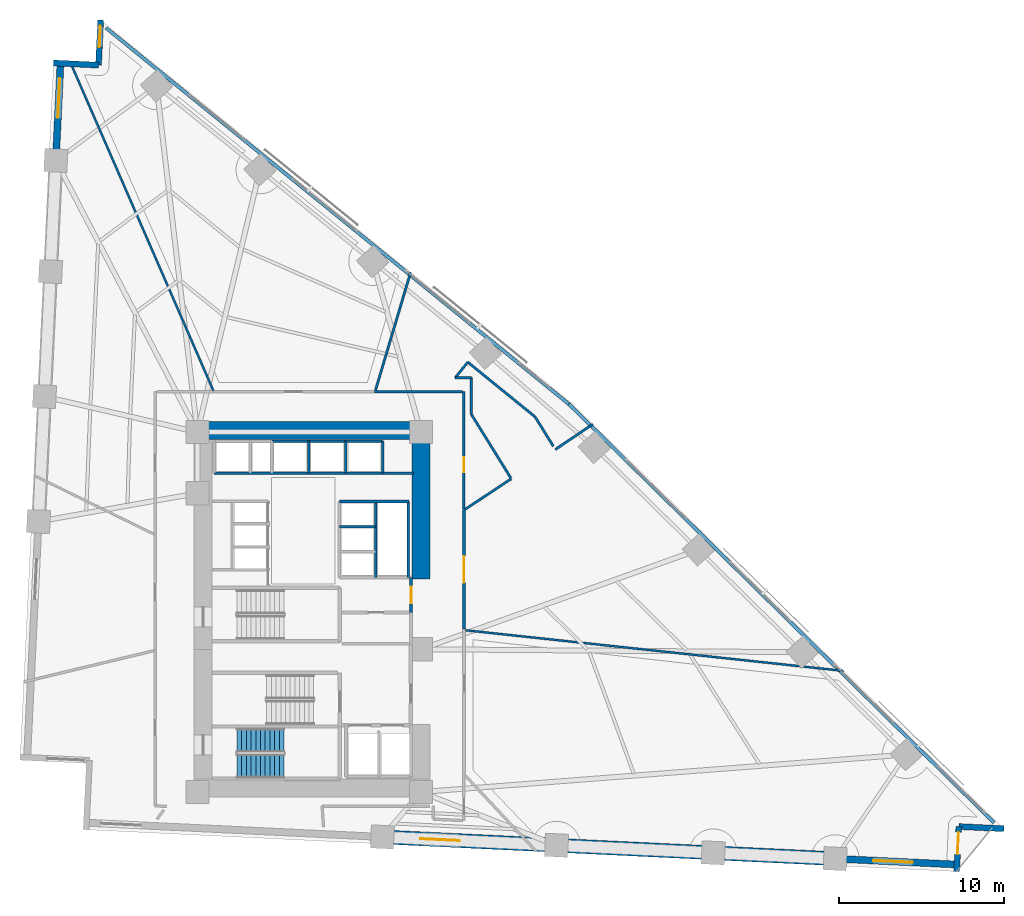
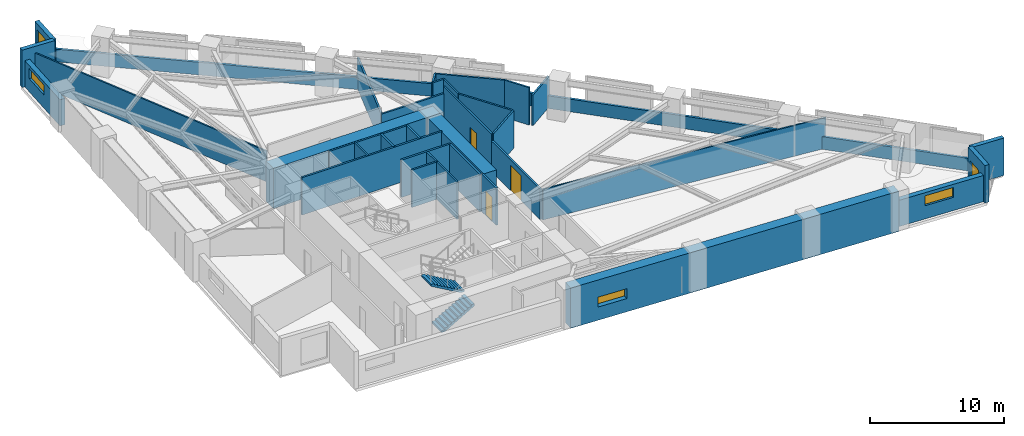
# One storey, part 14 of 17: 35 walls, 4 doors, 4 windows, 2 stair flights, 8 openings, 1 element without a shape of its own.
"""IFC4 building model written with IfcOpenShell, lengths in metres."""

from ifc_helpers import new_model, si_unit, direction, frame, frame_2d, origin, place, context, subcontext, project, spatial, polyline, rectangle, outline, extrude, material, layer, layer_set, type_object, element, fill, aggregate, save


model = new_model("IFC4")

# Units and contexts
model_context = context("Model", 3, precision=1e-05, world=origin(), true_north=direction((0.0, 1.0)))
body_context = subcontext(model_context, "Body", "Model", "MODEL_VIEW")
ifc_project = project(units=[si_unit("LENGTHUNIT", "METRE"), si_unit("AREAUNIT", "SQUARE_METRE"), si_unit("VOLUMEUNIT", "CUBIC_METRE"), si_unit("PLANEANGLEUNIT", "RADIAN"), si_unit("MASSUNIT", "GRAM", prefix="KILO")], contexts=[model_context])

# Site, building, storey
site_placement = place(None, origin())
site = spatial("IfcSite", under=ifc_project, at=site_placement, CompositionType="ELEMENT")
building_placement = place(site_placement, origin())
building = spatial("IfcBuilding", under=site, at=building_placement, Name="Narakoshi Arena Tower", CompositionType="ELEMENT")
storey_placement = place(building_placement, frame((0.0, 0.0, 48.300048828125)))
storey = spatial("IfcBuildingStorey", under=building, at=storey_placement, Name="L12", CompositionType="ELEMENT", Elevation=48.300048828125)

# Walls
ifc_material_1 = material(Name="Concrete C60/75", Category="concrete")
ifc_layer_1 = layer(ifc_material_1, 1.10009765625)
ifc_layer_set_1 = layer_set([ifc_layer_1], Name="Concrete C60/75")
wall_type_1 = type_object("IfcWallType", Name="WL-CORE-1100", PredefinedType="SHEAR", material=ifc_layer_set_1)
wall_1_placement = place(storey_placement, frame((71.800048828125, 56.60009765625, -0.260009765625), z_axis=(0.0, 0.0, 1.0), x_axis=(1.0, 0.0, 0.0)))
element("IfcWall", 1, at=wall_1_placement, inside=storey, type_object=wall_type_1, Name="L12 Main Core Shear Wall CW-MN-N", PredefinedType="SHEAR", context=body_context, shape_type="SweptSolid", body=[
    extrude(rectangle(XDim=14.300048828125, YDim=1.10009765625, at=frame_2d((7.14990234375, 0.0))), origin(), (0.0, 0.0, 1.0), 3.659912109375),
])
wall_2_placement = place(storey_placement, frame((85.550048828125, 47.60009765625, -0.260009765625), z_axis=(0.0, 0.0, 1.0), x_axis=(0.0, 1.0, 0.0)))
element("IfcWall", 2, at=wall_2_placement, inside=storey, type_object=wall_type_1, Name="L12 Main Core Shear Wall CW-MN-E", PredefinedType="SHEAR", context=body_context, shape_type="SweptSolid", body=[
    extrude(rectangle(XDim=8.449951171875, YDim=1.10009765625, at=frame_2d((4.22509765625, 0.0))), origin(), (0.0, 0.0, 1.0), 3.659912109375),
])

# Wall, opening, door
ifc_material_2 = material(Name="Gypsum plasterboard fire-rated partition")
ifc_layer_2 = layer(ifc_material_2, 0.1650390625)
ifc_layer_set_2 = layer_set([ifc_layer_2], Name="Gypsum plasterboard fire-rated partition")
wall_type_2 = type_object("IfcWallType", Name="WL-CORR-165", PredefinedType="PARTITIONING", material=ifc_layer_set_2)
wall_3_placement = place(storey_placement, frame((84.949951171875, 45.580078125, 0.0), z_axis=(0.0, 0.0, 1.0), x_axis=(0.0, 1.0, 0.0)))
wall_3 = element("IfcWall", 3, at=wall_3_placement, inside=storey, type_object=wall_type_2, Name="L12 Core Wall CPAS-E", PredefinedType="PARTITIONING", context=body_context, shape_type="SweptSolid", body=[
    extrude(rectangle(XDim=2.119873046875, YDim=0.1650390625, at=frame_2d((1.06005859375, 0.0))), origin(), (0.0, 0.0, 1.0), 3.39990234375),
])
opening_1_placement = place(wall_3_placement, frame((0.56005859375, 0.0, 0.0)))
opening_1 = element("IfcOpeningElement", 4, at=opening_1_placement, cuts=wall_3, Name="Opening D-06", PredefinedType="OPENING", context=body_context, shape_type="SweptSolid", body=[
    extrude(rectangle(XDim=1.0, YDim=2.199951171875, at=frame_2d((0.5, 1.10009765625))), frame((0.0, 0.092529296875, 0.0), z_axis=(0.0, -1.0, 0.0), x_axis=(1.0, 0.0, 0.0)), (0.0, 0.0, 1.0), 0.18505859375),
])
ifc_material_3 = material(Name="Stained oak solid-core timber", Category="wood")
door_type_1 = type_object("IfcDoorType", Name="DR-OFF-1000", OperationType="NOTDEFINED", PredefinedType="DOOR", material=ifc_material_3)
door_1_placement = place(opening_1_placement, frame((1.0, 0.0, 0.0), z_axis=(0.0, 0.0, 1.0), x_axis=(-1.0, 0.0, 0.0)))
door_1 = element("IfcDoor", 5, at=door_1_placement, inside=storey, type_object=door_type_1, Name="DR-L12-008", OperationType="SINGLE_SWING_LEFT", OverallHeight=2.199951171875, OverallWidth=1.0, PredefinedType="DOOR", context=body_context, shape_type="SweptSolid", body=[
    extrude(rectangle(XDim=1.0, YDim=2.199951171875, at=frame_2d((0.5, 1.10009765625))), frame((0.0, 0.02490234375, 0.0), z_axis=(0.0, -1.0, 0.0), x_axis=(1.0, 0.0, 0.0)), (0.0, 0.0, 1.0), 0.050048828125),
])
fill(opening_1, door_1)

wall_4_placement = place(storey_placement, frame((88.14990234375, 44.571533203125, 0.0), z_axis=(0.0, 0.0, 1.0), x_axis=(0.0, 1.0, 0.0)))
wall_4 = element("IfcWall", 6, at=wall_4_placement, inside=storey, type_object=wall_type_2, Name="L12 Corridor Partition 04-1", PredefinedType="PARTITIONING", context=body_context, shape_type="SweptSolid", body=[
    extrude(rectangle(XDim=7.238037109375, YDim=0.1650390625, at=frame_2d((3.619140625, 0.0))), origin(), (0.0, 0.0, 1.0), 2.784912109375),
])
opening_2_placement = place(wall_4_placement, frame((2.819091796875, 0.0, 0.0)))
opening_2 = element("IfcOpeningElement", 7, at=opening_2_placement, cuts=wall_4, Name="Opening D-05", PredefinedType="OPENING", context=body_context, shape_type="SweptSolid", body=[
    extrude(rectangle(XDim=1.60009765625, YDim=2.300048828125, at=frame_2d((0.800048828125, 1.14990234375))), frame((0.0, 0.092529296875, 0.0), z_axis=(0.0, -1.0, 0.0), x_axis=(1.0, 0.0, 0.0)), (0.0, 0.0, 1.0), 0.18505859375),
])
door_type_2 = type_object("IfcDoorType", Name="DR-STE-1600", OperationType="DOUBLE_DOOR_SINGLE_SWING", PredefinedType="DOOR", material=ifc_material_3)
door_2_placement = place(opening_2_placement, frame((1.60009765625, 0.0, 0.0), z_axis=(0.0, 0.0, 1.0), x_axis=(-1.0, 0.0, 0.0)))
door_2 = element("IfcDoor", 8, at=door_2_placement, inside=storey, type_object=door_type_2, Name="DR-L12-017", OperationType="DOUBLE_DOOR_SINGLE_SWING", OverallHeight=2.300048828125, OverallWidth=1.60009765625, PredefinedType="DOOR", context=body_context, shape_type="SweptSolid", body=[
    extrude(rectangle(XDim=1.60009765625, YDim=2.300048828125, at=frame_2d((0.800048828125, 1.14990234375))), frame((0.0, 0.02490234375, 0.0), z_axis=(0.0, -1.0, 0.0), x_axis=(1.0, 0.0, 0.0)), (0.0, 0.0, 1.0), 0.050048828125),
])
fill(opening_2, door_2)

# Wall, opening, window
ifc_layer_3 = layer(ifc_material_1, 0.85009765625)
ifc_layer_set_3 = layer_set([ifc_layer_3], Name="Concrete C60/75")
wall_type_3 = type_object("IfcWallType", Name="WL-LEG-850", PredefinedType="SHEAR", material=ifc_layer_set_3)
wall_5_placement = place(storey_placement, frame((83.2119140625, 31.979248046875, -0.260009765625), z_axis=(0.0, 0.0, 1.0), x_axis=(0.998848235141, -0.047981279227, 0.0)))
wall_5 = element("IfcWall", 9, at=wall_5_placement, inside=storey, type_object=wall_type_3, Name="L12 Architectural Concrete Structural Wall LEGA-2", PredefinedType="SHEAR", context=body_context, shape_type="SweptSolid", body=[
    extrude(rectangle(XDim=27.456298828125, YDim=0.85009765625, at=frame_2d((13.72802734375, 0.0))), origin(), (0.0, 0.0, 1.0), 3.659912109375),
])
opening_3_placement = place(wall_5_placement, frame((2.300048828125, 0.0, 1.199951171875)))
opening_3 = element("IfcOpeningElement", 10, at=opening_3_placement, cuts=wall_5, Name="Opening WN-01", PredefinedType="OPENING", context=body_context, shape_type="SweptSolid", body=[
    extrude(rectangle(XDim=2.39990234375, YDim=0.89990234375, at=frame_2d((1.199951171875, 0.449951171875))), frame((0.0, 0.43505859375, 0.0), z_axis=(0.0, -1.0, 0.0), x_axis=(1.0, 0.0, 0.0)), (0.0, 0.0, 1.0), 0.8701171875),
])
ifc_material_4 = material(Name="Bronze-tinted low-E laminated glass", Category="glass")
window_type_1 = type_object("IfcWindowType", Name="WIN-SLT-24x09", PartitioningType="SINGLE_PANEL", PredefinedType="WINDOW", material=ifc_material_4)
window_1_placement = place(opening_3_placement, origin())
window_1 = element("IfcWindow", 11, at=window_1_placement, inside=storey, type_object=window_type_1, Name="L12 LEGA2 Horizontal Slot Window 1", OverallHeight=0.89990234375, OverallWidth=2.39990234375, PartitioningType="SINGLE_PANEL", PredefinedType="WINDOW", context=body_context, shape_type="SweptSolid", body=[
    extrude(rectangle(XDim=2.39990234375, YDim=0.89990234375, at=frame_2d((1.199951171875, 0.449951171875))), frame((0.0, 0.030029296875, 0.0), z_axis=(0.0, -1.0, 0.0), x_axis=(1.0, 0.0, 0.0)), (0.0, 0.0, 1.0), 0.06005859375),
])
fill(opening_3, window_1)

# Walls
ifc_material_5 = material(Name="Precast concrete C45/55", Category="concrete")
ifc_layer_4 = layer(ifc_material_5, 0.25)
ifc_layer_set_4 = layer_set([ifc_layer_4], Name="Precast concrete C45/55")
wall_type_4 = type_object("IfcWallType", Name="WL-PARA-250", PredefinedType="PARAPET", material=ifc_layer_set_4)
wall_6_placement = place(storey_placement, frame((120.254150390625, 32.847900390625, 0.0), z_axis=(0.0, 0.0, 1.0), x_axis=(-0.71254385441, 0.701627576099, 0.0)))
element("IfcWall", 12, at=wall_6_placement, inside=storey, type_object=wall_type_4, Name="L12 Hypotenuse Sill Upstand Parapet 1-01", PredefinedType="PARAPET", context=body_context, shape_type="SweptSolid", body=[
    extrude(rectangle(XDim=36.1416015625, YDim=0.199951171875, at=frame_2d((18.07080078125, 0.0))), origin(), (0.0, 0.0, 1.0), 1.14990234375),
])
wall_7_placement = place(storey_placement, frame((94.51318359375, 58.19580078125, 0.0), z_axis=(0.0, 0.0, 1.0), x_axis=(-0.776001602097, 0.630730935933, 0.0)))
element("IfcWall", 13, at=wall_7_placement, inside=storey, type_object=wall_type_4, Name="L12 Hypotenuse Sill Upstand Parapet 2-01", PredefinedType="PARAPET", context=body_context, shape_type="SweptSolid", body=[
    extrude(rectangle(XDim=36.14794921875, YDim=0.199951171875, at=frame_2d((18.073974609375, 0.0))), origin(), (0.0, 0.0, 1.0), 1.14990234375),
])
ifc_layer_5 = layer(ifc_material_2, 0.125)
ifc_layer_set_5 = layer_set([ifc_layer_5], Name="Gypsum plasterboard fire-rated partition")
wall_type_5 = type_object("IfcWallType", Name="WL-PART-125", PredefinedType="PARTITIONING", material=ifc_layer_set_5)
wall_8_placement = place(storey_placement, frame((88.244384765625, 44.5009765625, 0.0), z_axis=(0.0, 0.0, 1.0), x_axis=(0.994268709567, -0.106909930207, 0.0)))
element("IfcWall", 14, at=wall_8_placement, inside=storey, type_object=wall_type_5, Name="L12 Inter-Room Partition 03-04", PredefinedType="PARTITIONING", context=body_context, shape_type="SweptSolid", body=[
    extrude(rectangle(XDim=23.037109375, YDim=0.125, at=frame_2d((11.5185546875, 0.0))), origin(), (0.0, 0.0, 1.0), 2.784912109375),
])
wall_9_placement = place(storey_placement, frame((72.966796875, 59.027587890625, 0.0), z_axis=(0.0, 0.0, 1.0), x_axis=(-0.399433319224, 0.916762250256, 0.0)))
element("IfcWall", 15, at=wall_9_placement, inside=storey, type_object=wall_type_5, Name="L12 Inter-Room Partition 06-07", PredefinedType="PARTITIONING", context=body_context, shape_type="SweptSolid", body=[
    extrude(rectangle(XDim=21.58203125, YDim=0.125, at=frame_2d((10.791015625, 0.0))), origin(), (0.0, 0.0, 1.0), 2.784912109375),
])

# Wall, opening, window
ifc_layer_6 = layer(ifc_material_5, 0.419921875)
ifc_layer_set_6 = layer_set([ifc_layer_6], Name="Precast concrete C45/55")
wall_type_6 = type_object("IfcWallType", Name="WL-POD-420", PredefinedType="SOLIDWALL", material=ifc_layer_set_6)
wall_10_placement = place(storey_placement, frame((110.636474609375, 30.661865234375, 0.0), z_axis=(0.0, 0.0, 1.0), x_axis=(0.998847872759, -0.047988822508, 0.0)))
wall_10 = element("IfcWall", 16, at=wall_10_placement, inside=storey, type_object=wall_type_6, Name="L12 Architectural Concrete Facade Wall LEGA-3", PredefinedType="SOLIDWALL", context=body_context, shape_type="SweptSolid", body=[
    extrude(rectangle(XDim=7.39208984375, YDim=0.419921875, at=frame_2d((3.696044921875, 0.0))), origin(), (0.0, 0.0, 1.0), 2.385009765625),
])
opening_4_placement = place(wall_10_placement, frame((2.300048828125, 0.0, 1.199951171875)))
opening_4 = element("IfcOpeningElement", 17, at=opening_4_placement, cuts=wall_10, Name="Opening WN-01", PredefinedType="OPENING", context=body_context, shape_type="SweptSolid", body=[
    extrude(rectangle(XDim=2.39990234375, YDim=0.89990234375, at=frame_2d((1.199951171875, 0.449951171875))), frame((0.0, 0.219970703125, 0.0), z_axis=(0.0, -1.0, 0.0), x_axis=(1.0, 0.0, 0.0)), (0.0, 0.0, 1.0), 0.43994140625),
])
window_2_placement = place(opening_4_placement, origin())
window_2 = element("IfcWindow", 18, at=window_2_placement, inside=storey, type_object=window_type_1, Name="L12 LEGA3 Horizontal Slot Window 1", OverallHeight=0.89990234375, OverallWidth=2.39990234375, PartitioningType="SINGLE_PANEL", PredefinedType="WINDOW", context=body_context, shape_type="SweptSolid", body=[
    extrude(rectangle(XDim=2.39990234375, YDim=0.89990234375, at=frame_2d((1.199951171875, 0.449951171875))), frame((0.0, 0.030029296875, 0.0), z_axis=(0.0, -1.0, 0.0), x_axis=(1.0, 0.0, 0.0)), (0.0, 0.0, 1.0), 0.06005859375),
])
fill(opening_4, window_2)

wall_11_placement = place(storey_placement, frame((63.711181640625, 78.84375, 0.0), z_axis=(0.0, 0.0, 1.0), x_axis=(-0.048007946398, -0.998846953784, 0.0)))
wall_11 = element("IfcWall", 19, at=wall_11_placement, inside=storey, type_object=wall_type_6, Name="L12 Architectural Concrete Facade Wall LEGB-1", PredefinedType="SOLIDWALL", context=body_context, shape_type="SweptSolid", body=[
    extrude(rectangle(XDim=5.89404296875, YDim=0.419921875, at=frame_2d((2.947021484375, 0.0))), origin(), (0.0, 0.0, 1.0), 2.385009765625),
])
opening_5_placement = place(wall_11_placement, frame((0.89990234375, 0.0, 1.199951171875)))
opening_5 = element("IfcOpeningElement", 20, at=opening_5_placement, cuts=wall_11, Name="Opening WN-01", PredefinedType="OPENING", context=body_context, shape_type="SweptSolid", body=[
    extrude(rectangle(XDim=2.39990234375, YDim=0.89990234375, at=frame_2d((1.199951171875, 0.449951171875))), frame((0.0, 0.219970703125, 0.0), z_axis=(0.0, -1.0, 0.0), x_axis=(1.0, 0.0, 0.0)), (0.0, 0.0, 1.0), 0.43994140625),
])
window_3_placement = place(opening_5_placement, origin())
window_3 = element("IfcWindow", 21, at=window_3_placement, inside=storey, type_object=window_type_1, Name="L12 LEGB1 Horizontal Slot Window 1", OverallHeight=0.89990234375, OverallWidth=2.39990234375, PartitioningType="SINGLE_PANEL", PredefinedType="WINDOW", context=body_context, shape_type="SweptSolid", body=[
    extrude(rectangle(XDim=2.39990234375, YDim=0.89990234375, at=frame_2d((1.199951171875, 0.449951171875))), frame((0.0, 0.030029296875, 0.0), z_axis=(0.0, -1.0, 0.0), x_axis=(1.0, 0.0, 0.0)), (0.0, 0.0, 1.0), 0.06005859375),
])
fill(opening_5, window_3)

# Wall, opening, door
wall_12_placement = place(storey_placement, frame((117.99951171875, 29.8828125, 0.0), z_axis=(0.0, 0.0, 1.0), x_axis=(0.048024030708, 0.998846180588, 0.0)))
wall_12 = element("IfcWall", 22, at=wall_12_placement, inside=storey, type_object=wall_type_6, Name="L12 Re-Entrant Corner Notch Wall NTE-1", PredefinedType="SOLIDWALL", context=body_context, shape_type="SweptSolid", body=[
    extrude(rectangle(XDim=2.72998046875, YDim=0.360107421875, at=frame_2d((1.364990234375, 0.0))), origin(), (0.0, 0.0, 1.0), 3.39990234375),
])
opening_6_placement = place(wall_12_placement, frame((1.0400390625, 0.0, 0.0)))
opening_6 = element("IfcOpeningElement", 23, at=opening_6_placement, cuts=wall_12, Name="Opening D-12", PredefinedType="OPENING", context=body_context, shape_type="SweptSolid", body=[
    extrude(rectangle(XDim=1.35009765625, YDim=2.35009765625, at=frame_2d((0.675048828125, 1.175048828125))), frame((0.0, 0.18994140625, 0.0), z_axis=(0.0, -1.0, 0.0), x_axis=(1.0, 0.0, 0.0)), (0.0, 0.0, 1.0), 0.380126953125),
])
ifc_material_6 = material(Name="Anodised bronze aluminium 6063-T6", Category="aluminium")
door_type_3 = type_object("IfcDoorType", Name="DR-LOG-1350", OperationType="DOUBLE_DOOR_SLIDING", PredefinedType="DOOR", material=ifc_material_6)
door_3_placement = place(opening_6_placement, origin())
door_3 = element("IfcDoor", 24, at=door_3_placement, inside=storey, type_object=door_type_3, Name="DR-L12-001", OperationType="DOUBLE_DOOR_SLIDING", OverallHeight=2.35009765625, OverallWidth=1.35009765625, PredefinedType="DOOR", context=body_context, shape_type="SweptSolid", body=[
    extrude(rectangle(XDim=1.35009765625, YDim=2.35009765625, at=frame_2d((0.675048828125, 1.175048828125))), frame((0.0, 0.02490234375, 0.0), z_axis=(0.0, -1.0, 0.0), x_axis=(1.0, 0.0, 0.0)), (0.0, 0.0, 1.0), 0.050048828125),
])
fill(opening_6, door_3)

# Wall
wall_13_placement = place(storey_placement, frame((118.130615234375, 32.609619140625, 0.0), z_axis=(0.0, 0.0, 1.0), x_axis=(0.998846180588, -0.048024030708, 0.0)))
element("IfcWall", 25, at=wall_13_placement, inside=storey, type_object=wall_type_6, Name="L12 Re-Entrant Corner Notch Wall NTE-2", PredefinedType="SOLIDWALL", context=body_context, shape_type="SweptSolid", body=[
    extrude(rectangle(XDim=2.72998046875, YDim=0.360107421875, at=frame_2d((1.364990234375, 0.0))), origin(), (0.0, 0.0, 1.0), 3.39990234375),
])

# Wall, opening, window
wall_14_placement = place(storey_placement, frame((66.144287109375, 81.4599609375, 0.0), z_axis=(0.0, 0.0, 1.0), x_axis=(-0.047934806162, -0.998850466465, 0.0)))
wall_14 = element("IfcWall", 26, at=wall_14_placement, inside=storey, type_object=wall_type_6, Name="L12 Re-Entrant Corner Notch Wall NTN-1", PredefinedType="SOLIDWALL", context=body_context, shape_type="SweptSolid", body=[
    extrude(rectangle(XDim=2.72998046875, YDim=0.360107421875, at=frame_2d((1.364990234375, 0.0))), origin(), (0.0, 0.0, 1.0), 3.39990234375),
])
opening_7_placement = place(wall_14_placement, frame((0.340087890625, 0.0, 0.449951171875)))
opening_7 = element("IfcOpeningElement", 27, at=opening_7_placement, cuts=wall_14, Name="Opening WN-06", PredefinedType="OPENING", context=body_context, shape_type="SweptSolid", body=[
    extrude(rectangle(XDim=1.300048828125, YDim=2.39990234375, at=frame_2d((0.64990234375, 1.199951171875))), frame((0.0, 0.18994140625, 0.0), z_axis=(0.0, -1.0, 0.0), x_axis=(1.0, 0.0, 0.0)), (0.0, 0.0, 1.0), 0.380126953125),
])
window_type_2 = type_object("IfcWindowType", Name="WIN-NTC-16x24", PartitioningType="SINGLE_PANEL", PredefinedType="WINDOW", material=ifc_material_4)
window_4_placement = place(opening_7_placement, origin())
window_4 = element("IfcWindow", 28, at=window_4_placement, inside=storey, type_object=window_type_2, Name="L12 Corner Notch Window NTN", OverallHeight=2.39990234375, OverallWidth=1.300048828125, PartitioningType="SINGLE_PANEL", PredefinedType="WINDOW", context=body_context, shape_type="SweptSolid", body=[
    extrude(rectangle(XDim=1.300048828125, YDim=2.39990234375, at=frame_2d((0.64990234375, 1.199951171875))), frame((0.0, 0.030029296875, 0.0), z_axis=(0.0, -1.0, 0.0), x_axis=(1.0, 0.0, 0.0)), (0.0, 0.0, 1.0), 0.06005859375),
])
fill(opening_7, window_4)

# Walls
wall_15_placement = place(storey_placement, frame((66.013427734375, 78.733154296875, 0.0), z_axis=(0.0, 0.0, 1.0), x_axis=(-0.998846180588, 0.048024030708, 0.0)))
element("IfcWall", 29, at=wall_15_placement, inside=storey, type_object=wall_type_6, Name="L12 Re-Entrant Corner Notch Wall NTN-2", PredefinedType="SOLIDWALL", context=body_context, shape_type="SweptSolid", body=[
    extrude(rectangle(XDim=2.72998046875, YDim=0.360107421875, at=frame_2d((1.364990234375, 0.0))), origin(), (0.0, 0.0, 1.0), 3.39990234375),
])
ifc_material_7 = material(Name="Concrete C40/50", Category="concrete")
ifc_layer_7 = layer(ifc_material_7, 0.280029296875)
ifc_layer_set_7 = layer_set([ifc_layer_7], Name="Concrete C40/50")
wall_type_7 = type_object("IfcWallType", Name="WL-RISER-280", PredefinedType="PLUMBINGWALL", material=ifc_layer_set_7)
wall_16_placement = place(storey_placement, frame((80.60009765625, 50.780029296875, 0.0), z_axis=(0.0, 0.0, 1.0), x_axis=(1.0, 0.0, 0.0)))
element("IfcWall", 30, at=wall_16_placement, inside=storey, type_object=wall_type_7, Name="L12 Core Wall MR-D2", PredefinedType="PLUMBINGWALL", context=body_context, shape_type="SweptSolid", body=[
    extrude(rectangle(XDim=2.199951171875, YDim=0.14990234375, at=frame_2d((1.10009765625, 0.0))), origin(), (0.0, 0.0, 1.0), 3.39990234375),
])
wall_17_placement = place(storey_placement, frame((82.800048828125, 47.699951171875, 0.0), z_axis=(0.0, 0.0, 1.0), x_axis=(0.0, 1.0, 0.0)))
element("IfcWall", 31, at=wall_17_placement, inside=storey, type_object=wall_type_7, Name="L12 Core Wall MR-E", PredefinedType="PLUMBINGWALL", context=body_context, shape_type="SweptSolid", body=[
    extrude(rectangle(XDim=4.60009765625, YDim=0.14990234375, at=frame_2d((2.300048828125, 0.0))), origin(), (0.0, 0.0, 1.0), 3.39990234375),
])
for number, where, z_axis, x_axis, name in (
    (32, (78.75, 54.02001953125, 0.0), (0.0, 0.0, 1.0), (0.0, 1.0, 0.0), "L12 Core Wall HR-D1"),
    (33, (81.0, 54.02001953125, 0.0), (0.0, 0.0, 1.0), (0.0, 1.0, 0.0), "L12 Core Wall HR-D2"),
):
    element("IfcWall", number, at=place(storey_placement, frame(where, z_axis=z_axis, x_axis=x_axis)), inside=storey, type_object=wall_type_7, Name=name, PredefinedType="PLUMBINGWALL", context=body_context, shape_type="SweptSolid", body=[
        extrude(rectangle(XDim=1.9599609375, YDim=0.14990234375, at=frame_2d((0.97998046875, 0.0))), origin(), (0.0, 0.0, 1.0), 3.39990234375),
    ])
ifc_material_8 = material(Name="Concrete C50/60", Category="concrete")
ifc_layer_8 = layer(ifc_material_8, 0.35009765625)
ifc_layer_set_8 = layer_set([ifc_layer_8], Name="Concrete C50/60")
wall_type_8 = type_object("IfcWallType", Name="WL-SHAFT-350", PredefinedType="SOLIDWALL", material=ifc_layer_set_8)
wall_18_placement = place(storey_placement, frame((80.60009765625, 52.300048828125, 0.0), z_axis=(0.0, 0.0, 1.0), x_axis=(1.0, 0.0, 0.0)))
element("IfcWall", 34, at=wall_18_placement, inside=storey, type_object=wall_type_8, Name="L12 Core Wall MR-N", PredefinedType="SOLIDWALL", context=body_context, shape_type="SweptSolid", body=[
    extrude(rectangle(XDim=4.219970703125, YDim=0.159912109375, at=frame_2d((2.10986328125, 0.0))), origin(), (0.0, 0.0, 1.0), 3.39990234375),
])
wall_19_placement = place(storey_placement, frame((84.780029296875, 47.699951171875, 0.0), z_axis=(0.0, 0.0, 1.0), x_axis=(0.0, 1.0, 0.0)))
element("IfcWall", 35, at=wall_19_placement, inside=storey, type_object=wall_type_8, Name="L12 Core Wall MR-E2", PredefinedType="SOLIDWALL", context=body_context, shape_type="SweptSolid", body=[
    extrude(rectangle(XDim=4.60009765625, YDim=0.159912109375, at=frame_2d((2.300048828125, 0.0))), origin(), (0.0, 0.0, 1.0), 3.39990234375),
])
wall_20_placement = place(storey_placement, frame((73.02001953125, 54.02001953125, 0.0), z_axis=(0.0, 0.0, 1.0), x_axis=(1.0, 0.0, 0.0)))
element("IfcWall", 36, at=wall_20_placement, inside=storey, type_object=wall_type_8, Name="L12 Core Wall NSHF-S", PredefinedType="SOLIDWALL", context=body_context, shape_type="SweptSolid", body=[
    extrude(rectangle(XDim=12.080078125, YDim=0.159912109375, at=frame_2d((6.0400390625, 0.0))), origin(), (0.0, 0.0, 1.0), 3.39990234375),
])
wall_21_placement = place(storey_placement, frame((83.219970703125, 54.02001953125, 0.0), z_axis=(0.0, 0.0, 1.0), x_axis=(0.0, 1.0, 0.0)))
element("IfcWall", 37, at=wall_21_placement, inside=storey, type_object=wall_type_8, Name="L12 Core Wall HR-E", PredefinedType="SOLIDWALL", context=body_context, shape_type="SweptSolid", body=[
    extrude(rectangle(XDim=1.9599609375, YDim=0.14990234375, at=frame_2d((0.97998046875, 0.0))), origin(), (0.0, 0.0, 1.0), 3.39990234375),
])
wall_22_placement = place(storey_placement, frame((76.52001953125, 55.9599609375, 0.0), z_axis=(0.0, 0.0, 1.0), x_axis=(1.0, 0.0, 0.0)))
element("IfcWall", 38, at=wall_22_placement, inside=storey, type_object=wall_type_8, Name="L12 Core Wall HR-N", PredefinedType="SOLIDWALL", context=body_context, shape_type="SweptSolid", body=[
    extrude(rectangle(XDim=6.699951171875, YDim=0.14990234375, at=frame_2d((3.35009765625, 0.0))), origin(), (0.0, 0.0, 1.0), 3.39990234375),
])
ifc_material_9 = material(Name="Moisture-resistant cement-board partition")
ifc_layer_9 = layer(ifc_material_9, 0.14501953125)
ifc_layer_set_9 = layer_set([ifc_layer_9], Name="Moisture-resistant cement-board partition")
wall_type_9 = type_object("IfcWallType", Name="WL-WET-145", PredefinedType="PARTITIONING", material=ifc_layer_set_9)
wall_23_placement = place(storey_placement, frame((88.197265625, 51.8095703125, 0.0), z_axis=(0.0, 0.0, 1.0), x_axis=(0.834029749889, 0.551719472468, 0.0)))
element("IfcWall", 39, at=wall_23_placement, inside=storey, type_object=wall_type_9, Name="L12 Inter-Room Partition 04-05", PredefinedType="PARTITIONING", context=body_context, shape_type="SweptSolid", body=[
    extrude(rectangle(XDim=3.387451171875, YDim=0.14501953125, at=frame_2d((1.69384765625, 0.0))), origin(), (0.0, 0.0, 1.0), 3.39990234375),
])
wall_24_placement = place(storey_placement, frame((93.6875, 55.452392578125, 0.0), z_axis=(0.0, 0.0, 1.0), x_axis=(0.82889296356, 0.559407235349, 0.0)))
element("IfcWall", 40, at=wall_24_placement, inside=storey, type_object=wall_type_9, Name="L12 Inter-Room Partition 04-05", PredefinedType="PARTITIONING", context=body_context, shape_type="SweptSolid", body=[
    extrude(rectangle(XDim=2.747802734375, YDim=0.14501953125, at=frame_2d((1.3740234375, 0.0))), origin(), (0.0, 0.0, 1.0), 2.784912109375),
])

# Wall, opening, door
wall_25_placement = place(storey_placement, frame((88.14990234375, 51.83837890625, 0.0), z_axis=(0.0, 0.0, 1.0), x_axis=(0.0, 1.0, 0.0)))
wall_25 = element("IfcWall", 41, at=wall_25_placement, inside=storey, type_object=wall_type_9, Name="L12 Corridor Partition 05-1", PredefinedType="PARTITIONING", context=body_context, shape_type="SweptSolid", body=[
    extrude(rectangle(XDim=7.111572265625, YDim=0.14501953125, at=frame_2d((3.5556640625, 0.0))), origin(), (0.0, 0.0, 1.0), 3.39990234375),
])
opening_8_placement = place(wall_25_placement, frame((2.234130859375, 0.0, 0.0)))
opening_8 = element("IfcOpeningElement", 42, at=opening_8_placement, cuts=wall_25, Name="Opening D-08", PredefinedType="OPENING", context=body_context, shape_type="SweptSolid", body=[
    extrude(rectangle(XDim=0.89990234375, YDim=2.10009765625, at=frame_2d((0.449951171875, 1.050048828125))), frame((0.0, 0.08251953125, 0.0), z_axis=(0.0, -1.0, 0.0), x_axis=(1.0, 0.0, 0.0)), (0.0, 0.0, 1.0), 0.1650390625),
])
ifc_material_10 = material(Name="Moisture-resistant laminate timber", Category="wood")
door_type_4 = type_object("IfcDoorType", Name="DR-WC-900", OperationType="NOTDEFINED", PredefinedType="DOOR", material=ifc_material_10)
door_4_placement = place(opening_8_placement, frame((0.89990234375, 0.0, 0.0), z_axis=(0.0, 0.0, 1.0), x_axis=(-1.0, 0.0, 0.0)))
door_4 = element("IfcDoor", 43, at=door_4_placement, inside=storey, type_object=door_type_4, Name="DR-L12-018", OperationType="SINGLE_SWING_RIGHT", OverallHeight=2.10009765625, OverallWidth=0.89990234375, PredefinedType="DOOR", context=body_context, shape_type="SweptSolid", body=[
    extrude(rectangle(XDim=0.89990234375, YDim=2.10009765625, at=frame_2d((0.449951171875, 1.050048828125))), frame((0.0, 0.02490234375, 0.0), z_axis=(0.0, -1.0, 0.0), x_axis=(1.0, 0.0, 0.0)), (0.0, 0.0, 1.0), 0.050048828125),
])
fill(opening_8, door_4)

# Walls
wall_26_placement = place(storey_placement, frame((88.0654296875, 58.949951171875, 0.0), z_axis=(0.0, 0.0, 1.0), x_axis=(-1.0, 0.0, 0.0)))
element("IfcWall", 44, at=wall_26_placement, inside=storey, type_object=wall_type_9, Name="L12 Corridor Partition 05-2", PredefinedType="PARTITIONING", context=body_context, shape_type="SweptSolid", body=[
    extrude(rectangle(XDim=5.33642578125, YDim=0.14501953125, at=frame_2d((2.668212890625, 0.0))), origin(), (0.0, 0.0, 1.0), 2.784912109375),
])
wall_27_placement = place(storey_placement, frame((82.791748046875, 59.034423828125, 0.0), z_axis=(0.0, 0.0, 1.0), x_axis=(0.285401878516, 0.958407933888, 0.0)))
element("IfcWall", 45, at=wall_27_placement, inside=storey, type_object=wall_type_9, Name="L12 Inter-Room Partition 05-06", PredefinedType="PARTITIONING", context=body_context, shape_type="SweptSolid", body=[
    extrude(rectangle(XDim=7.47216796875, YDim=0.14501953125, at=frame_2d((3.736083984375, 0.0))), origin(), (0.0, 0.0, 1.0), 2.784912109375),
])
wall_28_placement = place(storey_placement, frame((93.564697265625, 55.650146484375, 0.0), z_axis=(0.0, 0.0, 1.0), x_axis=(-0.527618202131, 0.849481625923, 0.0)))
element("IfcWall", 46, at=wall_28_placement, inside=storey, type_object=wall_type_9, Name="L12 Room Enclosure Partition 05-1", PredefinedType="PARTITIONING", context=body_context, shape_type="SweptSolid", body=[
    extrude(rectangle(XDim=2.09423828125, YDim=0.14501953125, at=frame_2d((1.047119140625, 0.0))), origin(), (0.0, 0.0, 1.0), 3.39990234375),
])
wall_29_placement = place(storey_placement, frame((92.459716796875, 57.42919921875, 0.0), z_axis=(0.0, 0.0, 1.0), x_axis=(-0.775983159792, 0.630753625213, 0.0)))
element("IfcWall", 47, at=wall_29_placement, inside=storey, type_object=wall_type_9, Name="L12 Room Enclosure Partition 05-2", PredefinedType="PARTITIONING", context=body_context, shape_type="SweptSolid", body=[
    extrude(rectangle(XDim=5.251708984375, YDim=0.14501953125, at=frame_2d((2.6259765625, 0.0))), origin(), (0.0, 0.0, 1.0), 3.39990234375),
])
wall_30_placement = place(storey_placement, frame((88.384521484375, 60.74169921875, 0.0), z_axis=(0.0, 0.0, 1.0), x_axis=(-0.628914048691, -0.777474835193, 0.0)))
element("IfcWall", 48, at=wall_30_placement, inside=storey, type_object=wall_type_9, Name="L12 Room Enclosure Partition 05-3", PredefinedType="PARTITIONING", context=body_context, shape_type="SweptSolid", body=[
    extrude(rectangle(XDim=1.211181640625, YDim=0.14501953125, at=frame_2d((0.60546875, 0.0))), origin(), (0.0, 0.0, 1.0), 3.39990234375),
])
wall_31_placement = place(storey_placement, frame((87.622802734375, 59.800048828125, 0.0), z_axis=(0.0, 0.0, 1.0), x_axis=(1.0, 0.0, 0.0)))
element("IfcWall", 49, at=wall_31_placement, inside=storey, type_object=wall_type_9, Name="L12 Room Enclosure Partition 05-4", PredefinedType="PARTITIONING", context=body_context, shape_type="SweptSolid", body=[
    extrude(rectangle(XDim=0.977294921875, YDim=0.14501953125, at=frame_2d((0.48876953125, 0.0))), origin(), (0.0, 0.0, 1.0), 3.39990234375),
])
wall_32_placement = place(storey_placement, frame((88.60009765625, 59.800048828125, 0.0), z_axis=(0.0, 0.0, 1.0), x_axis=(0.0, -1.0, 0.0)))
element("IfcWall", 50, at=wall_32_placement, inside=storey, type_object=wall_type_9, Name="L12 Room Enclosure Partition 05-5", PredefinedType="PARTITIONING", context=body_context, shape_type="SweptSolid", body=[
    extrude(rectangle(XDim=2.2216796875, YDim=0.14501953125, at=frame_2d((1.11083984375, 0.0))), origin(), (0.0, 0.0, 1.0), 3.39990234375),
])
wall_33_placement = place(storey_placement, frame((88.60009765625, 57.578369140625, 0.0), z_axis=(0.0, 0.0, 1.0), x_axis=(0.527337377714, -0.849655983363, 0.0)))
element("IfcWall", 51, at=wall_33_placement, inside=storey, type_object=wall_type_9, Name="L12 Room Enclosure Partition 05-6", PredefinedType="PARTITIONING", context=body_context, shape_type="SweptSolid", body=[
    extrude(rectangle(XDim=4.531005859375, YDim=0.14501953125, at=frame_2d((2.265625, 0.0))), origin(), (0.0, 0.0, 1.0), 3.39990234375),
])

# Stair, stair flights
ifc_material_11 = material(Name="Concrete C45/55", Category="concrete")
stair_type = type_object("IfcStairType", Name="STR-CORE-360", PredefinedType="TWO_STRAIGHT_RUN_STAIR", material=ifc_material_11)
stair_placement = place(storey_placement, origin())
stair = element("IfcStair", 52, at=stair_placement, inside=storey, type_object=stair_type, Name="L12 Core Escape Stair ST1", PredefinedType="TWO_STRAIGHT_RUN_STAIR")
stair_flight_type = type_object("IfcStairFlightType", Name="FLT-145-160", PredefinedType="STRAIGHT", material=ifc_material_5)
stair_flight_1_placement = place(storey_placement, frame((74.39990234375, 36.27490234375, 0.0), z_axis=(0.0, 0.0, 1.0), x_axis=(1.0, 0.0, 0.0)))
stair_flight_1 = element("IfcStairFlight", 53, at=stair_flight_1_placement, type_object=stair_flight_type, Name="ST1 flight 1", NumberOfRisers=11, NumberOfTreads=10, PredefinedType="STRAIGHT", RiserHeight=0.163636364, TreadLength=0.285, context=body_context, shape_type="SweptSolid", body=[
    extrude(outline(polyline([(0.0, 0.0), (0.0, 0.16357421875), (0.284912109375, 0.16357421875), (0.284912109375, 0.327392578125), (0.570068359375, 0.327392578125), (0.570068359375, 0.490966796875), (0.85498046875, 0.490966796875), (0.85498046875, 0.654541015625), (1.139892578125, 0.654541015625), (1.139892578125, 0.818115234375), (1.425048828125, 0.818115234375), (1.425048828125, 0.98193359375), (1.7099609375, 0.98193359375), (1.7099609375, 1.1455078125), (1.9951171875, 1.1455078125), (1.9951171875, 1.30908203125), (2.280029296875, 1.30908203125), (2.280029296875, 1.47265625), (2.56494140625, 1.47265625), (2.56494140625, 1.636474609375), (2.85009765625, 1.636474609375), (2.85009765625, 1.800048828125), (2.85009765625, 1.463623046875), (0.301025390625, 0.0), (0.0, 0.0)])), frame((0.0, 0.72509765625, 0.0), z_axis=(0.0, -1.0, 0.0), x_axis=(1.0, 0.0, 0.0)), (0.0, 0.0, 1.0), 1.449951171875),
])
stair_flight_2_placement = place(storey_placement, frame((77.25, 37.824951171875, 1.800048828125), z_axis=(0.0, 0.0, 1.0), x_axis=(-1.0, 0.0, 0.0)))
stair_flight_2 = element("IfcStairFlight", 54, at=stair_flight_2_placement, type_object=stair_flight_type, Name="ST1 flight 2", NumberOfRisers=11, NumberOfTreads=10, PredefinedType="STRAIGHT", RiserHeight=0.163636364, TreadLength=0.285, context=body_context, shape_type="SweptSolid", body=[
    extrude(outline(polyline([(0.0, 0.0), (0.0, 0.16357421875), (0.284912109375, 0.16357421875), (0.284912109375, 0.327392578125), (0.570068359375, 0.327392578125), (0.570068359375, 0.490966796875), (0.85498046875, 0.490966796875), (0.85498046875, 0.654541015625), (1.139892578125, 0.654541015625), (1.139892578125, 0.818115234375), (1.425048828125, 0.818115234375), (1.425048828125, 0.98193359375), (1.7099609375, 0.98193359375), (1.7099609375, 1.1455078125), (1.9951171875, 1.1455078125), (1.9951171875, 1.30908203125), (2.280029296875, 1.30908203125), (2.280029296875, 1.47265625), (2.56494140625, 1.47265625), (2.56494140625, 1.636474609375), (2.85009765625, 1.636474609375), (2.85009765625, 1.800048828125), (2.85009765625, 1.463623046875), (0.301025390625, 0.0), (0.0, 0.0)])), frame((0.0, 0.72509765625, 0.0), z_axis=(0.0, -1.0, 0.0), x_axis=(1.0, 0.0, 0.0)), (0.0, 0.0, 1.0), 1.449951171875),
])
aggregate(stair, [stair_flight_1, stair_flight_2])

save(model, "model.ifc")
